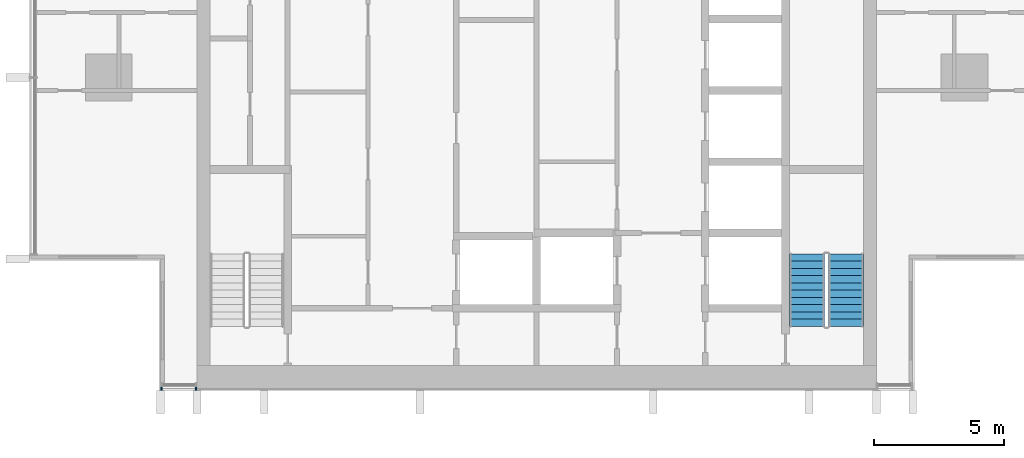
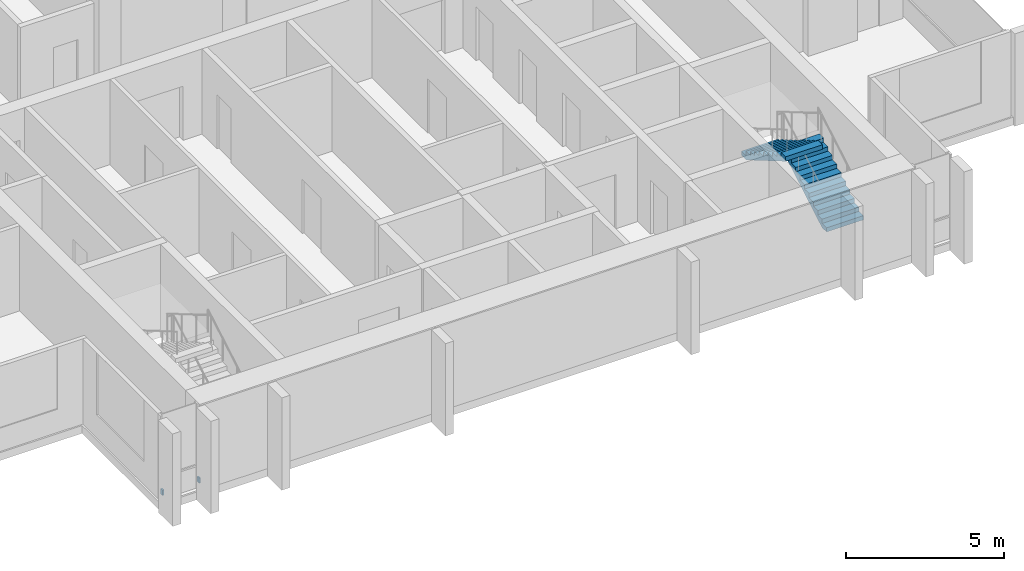
# One storey, part 11 of 16: 2 discrete accessories, 2 stair flights, 1 element without a shape of its own.
"""IFC4 building model written with IfcOpenShell, lengths in metres."""

from ifc_helpers import new_model, si_unit, direction, frame, origin, origin_2d, place, context, subcontext, project, spatial, polyline, rectangle, outline, extrude, material, type_object, element, aggregate, save


model = new_model("IFC4")

# Units and contexts
model_context = context("Model", 3, precision=1e-05, world=origin(), true_north=direction((0.0, 1.0)))
body_context = subcontext(model_context, "Body", "Model", "MODEL_VIEW")
ifc_project = project(units=[si_unit("LENGTHUNIT", "METRE"), si_unit("AREAUNIT", "SQUARE_METRE"), si_unit("VOLUMEUNIT", "CUBIC_METRE"), si_unit("PLANEANGLEUNIT", "RADIAN"), si_unit("MASSUNIT", "GRAM", prefix="KILO")], contexts=[model_context])

# Site, building, storey
site_placement = place(None, origin())
site = spatial("IfcSite", under=ifc_project, at=site_placement, CompositionType="ELEMENT")
building_placement = place(site_placement, origin())
building = spatial("IfcBuilding", under=site, at=building_placement, Name="Finial Court Residences", CompositionType="ELEMENT")
storey_placement = place(building_placement, frame((0.0, 0.0, 262.699951171875)))
storey = spatial("IfcBuildingStorey", under=building, at=storey_placement, Name="L66", CompositionType="ELEMENT", Elevation=262.699951171875)

# Stair, stair flights
ifc_material_1 = material(Name="Concrete C50/60", Category="concrete")
stair_type = type_object("IfcStairType", Name="Exit stair 22 risers of 163.6 mm", PredefinedType="HALF_TURN_STAIR", material=ifc_material_1)
stair_placement = place(storey_placement, origin())
stair = element("IfcStair", 1, at=stair_placement, inside=storey, type_object=stair_type, Name="L66 Exit stair ST-2", PredefinedType="HALF_TURN_STAIR")
stair_flight_type = type_object("IfcStairFlightType", Name="Exit stair flight", PredefinedType="STRAIGHT", material=ifc_material_1)
stair_flight_1_placement = place(storey_placement, frame((11.925048828125, -23.10009765625, 0.0), z_axis=(0.0, 0.0, 1.0), x_axis=(0.0, 1.0, 0.0)))
stair_flight_1 = element("IfcStairFlight", 2, at=stair_flight_1_placement, type_object=stair_flight_type, Name="ST-2 flight 1", NumberOfRisers=11, NumberOfTreads=10, PredefinedType="STRAIGHT", RiserHeight=0.163636364, TreadLength=0.28, context=body_context, shape_type="SweptSolid", body=[
    extrude(outline(polyline([(0.0, 0.0), (0.0, 0.16357421875), (0.280029296875, 0.16357421875), (0.280029296875, 0.327392578125), (0.56005859375, 0.327392578125), (0.56005859375, 0.490966796875), (0.840087890625, 0.490966796875), (0.840087890625, 0.654541015625), (1.1201171875, 0.654541015625), (1.1201171875, 0.818115234375), (1.39990234375, 0.818115234375), (1.39990234375, 0.98193359375), (1.679931640625, 0.98193359375), (1.679931640625, 1.1455078125), (1.9599609375, 1.1455078125), (1.9599609375, 1.30908203125), (2.239990234375, 1.30908203125), (2.239990234375, 1.47265625), (2.52001953125, 1.47265625), (2.52001953125, 1.636474609375), (2.800048828125, 1.636474609375), (2.800048828125, 1.800048828125), (2.800048828125, 1.462646484375), (0.297119140625, 0.0), (0.0, 0.0)])), frame((0.0, 0.675048828125, 0.0), z_axis=(0.0, -1.0, 0.0), x_axis=(1.0, 0.0, 0.0)), (0.0, 0.0, 1.0), 1.35009765625),
])
stair_flight_2_placement = place(storey_placement, frame((10.425048828125, -20.300048828125, 1.800048828125), z_axis=(0.0, 0.0, 1.0), x_axis=(0.0, -1.0, 0.0)))
stair_flight_2 = element("IfcStairFlight", 3, at=stair_flight_2_placement, type_object=stair_flight_type, Name="ST-2 flight 2", NumberOfRisers=11, NumberOfTreads=10, PredefinedType="STRAIGHT", RiserHeight=0.163636364, TreadLength=0.28, context=body_context, shape_type="SweptSolid", body=[
    extrude(outline(polyline([(0.0, 0.0), (0.0, 0.16357421875), (0.280029296875, 0.16357421875), (0.280029296875, 0.327392578125), (0.56005859375, 0.327392578125), (0.56005859375, 0.490966796875), (0.840087890625, 0.490966796875), (0.840087890625, 0.654541015625), (1.1201171875, 0.654541015625), (1.1201171875, 0.818115234375), (1.39990234375, 0.818115234375), (1.39990234375, 0.98193359375), (1.679931640625, 0.98193359375), (1.679931640625, 1.1455078125), (1.9599609375, 1.1455078125), (1.9599609375, 1.30908203125), (2.239990234375, 1.30908203125), (2.239990234375, 1.47265625), (2.52001953125, 1.47265625), (2.52001953125, 1.636474609375), (2.800048828125, 1.636474609375), (2.800048828125, 1.800048828125), (2.800048828125, 1.462646484375), (0.297119140625, 0.0), (0.0, 0.0)])), frame((0.0, 0.675048828125, 0.0), z_axis=(0.0, -1.0, 0.0), x_axis=(1.0, 0.0, 0.0)), (0.0, 0.0, 1.0), 1.35009765625),
])
aggregate(stair, [stair_flight_1, stair_flight_2])

# Discrete accessories
ifc_material_2 = material(Name="Stainless steel 316", Category="steel")
discrete_accessory_type = type_object("IfcDiscreteAccessoryType", Name="Fin bracket, stainless steel 60 x 122 x 200", PredefinedType="BRACKET", material=ifc_material_2)
for number, where, z_axis, x_axis, name in (
    (4, (-14.469970703125, -25.498779296875, 0.30029296875), (0.0, 0.0, 1.0), (1.0, 0.0, 0.0), "E-L66-FIN-S13-BRK"),
    (5, (-13.1298828125, -25.498779296875, 0.30029296875), (0.0, 0.0, 1.0), (1.0, 0.0, 0.0), "E-L66-FIN-S14-BRK"),
):
    element("IfcDiscreteAccessory", number, at=place(storey_placement, frame(where, z_axis=z_axis, x_axis=x_axis)), inside=storey, type_object=discrete_accessory_type, Name=name, PredefinedType="BRACKET", context=body_context, shape_type="SweptSolid", body=[
        extrude(rectangle(XDim=0.06005859375, YDim=0.12255859375, at=origin_2d()), origin(), (0.0, 0.0, 1.0), 0.199951171875),
    ])

save(model, "model.ifc")
